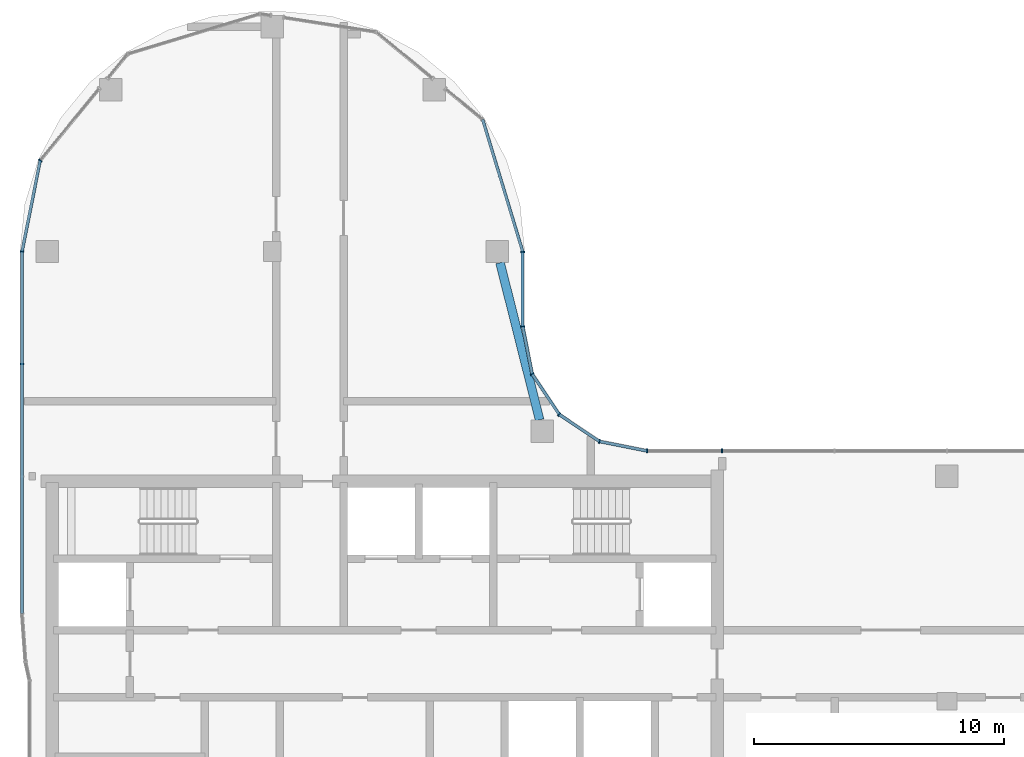
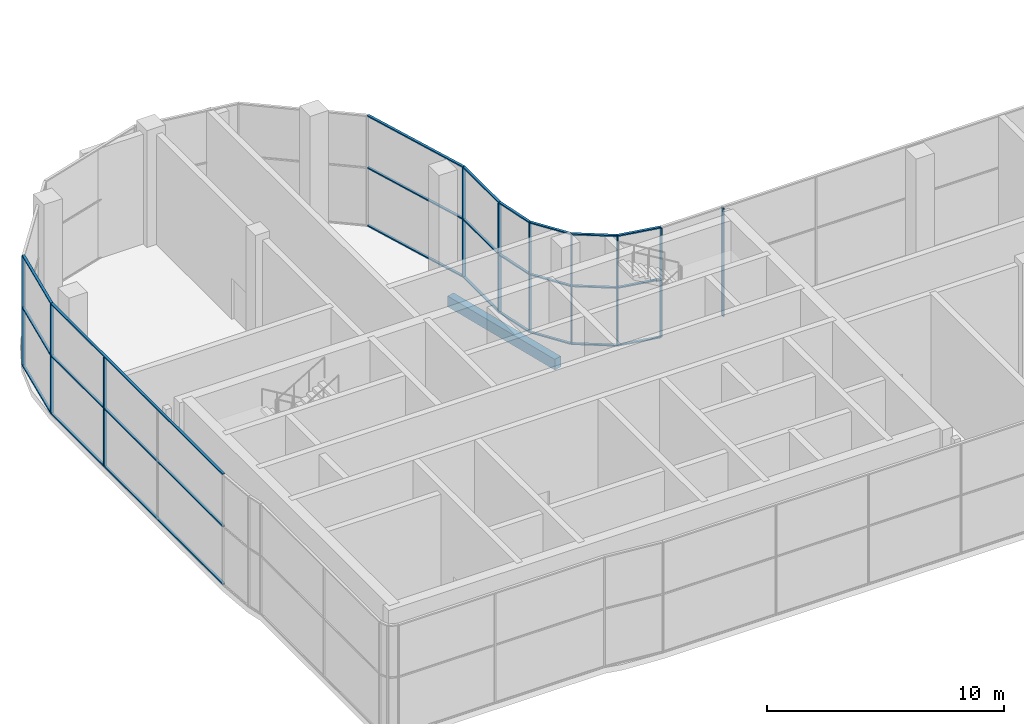
# One storey, part 3 of 21: 34 members, 1 beam, 6 elements without a shape of their own.
"""IFC4 building model written with IfcOpenShell, lengths in metres."""

from ifc_helpers import new_model, si_unit, direction, frame, origin, origin_2d, place, context, subcontext, project, spatial, rectangle, extrude, material, material_profile, profile_set, type_object, element, aggregate, save


model = new_model("IFC4")

# Units and contexts
model_context = context("Model", 3, precision=1e-05, world=origin(), true_north=direction((0.0, 1.0)))
body_context = subcontext(model_context, "Body", "Model", "MODEL_VIEW")
ifc_project = project(units=[si_unit("LENGTHUNIT", "METRE"), si_unit("AREAUNIT", "SQUARE_METRE"), si_unit("VOLUMEUNIT", "CUBIC_METRE"), si_unit("PLANEANGLEUNIT", "RADIAN"), si_unit("MASSUNIT", "GRAM", prefix="KILO")], contexts=[model_context])

# Site, building, storey
site_placement = place(None, origin())
site = spatial("IfcSite", under=ifc_project, at=site_placement, CompositionType="ELEMENT")
building_placement = place(site_placement, origin())
building = spatial("IfcBuilding", under=site, at=building_placement, Name="Ogive Portal Towers", CompositionType="ELEMENT")
storey_placement = place(building_placement, frame((0.0, 0.0, 266.89990234375)))
storey = spatial("IfcBuildingStorey", under=building, at=storey_placement, Name="L65", CompositionType="ELEMENT", Elevation=266.89990234375)

# Curtain wall, members
ifc_material_1 = material(Name="Glass, clear low-iron insulated glazing", Category="glass")
curtain_wall_type = type_object("IfcCurtainWallType", Name="CW OBSERVATION WALL", PredefinedType="NOTDEFINED", material=ifc_material_1)
curtain_wall_1_placement = place(storey_placement, origin())
curtain_wall_1 = element("IfcCurtainWall", 1, at=curtain_wall_1_placement, inside=storey, type_object=curtain_wall_type, Name="A:L65:f11:cw0", PredefinedType="NOTDEFINED")
ifc_material_2 = material(Name="Aluminium 6063 anodised", Category="aluminium")
ifc_material_profile_1 = material_profile(ifc_material_2, rectangle(XDim=0.159912109375, YDim=0.06005859375, at=origin_2d()), Name="AL 60x160")
ifc_profile_set_1 = profile_set([ifc_material_profile_1], Name="Aluminium 6063 anodised")
member_type_1 = type_object("IfcMemberType", Name="CW MULLION 60x160", PredefinedType="MULLION", material=ifc_profile_set_1)
member_1_placement = place(storey_placement, frame((58.5, 40.52001953125, 0.06005859375), z_axis=(0.0, 0.0, 1.0), x_axis=(0.0, -1.0, 0.0)))
member_1 = element("IfcMember", 2, at=member_1_placement, type_object=member_type_1, Name="mullion", PredefinedType="MULLION", context=body_context, shape_type="SweptSolid", body=[
    extrude(rectangle(XDim=0.159912109375, YDim=0.06005859375, at=origin_2d()), origin(), (0.0, 0.0, 1.0), 5.580078125),
])
member_2_placement = place(storey_placement, frame((55.4921875, 40.52001953125, 0.06005859375), z_axis=(0.0, 0.0, 1.0), x_axis=(0.0, -1.0, 0.0)))
member_2 = element("IfcMember", 3, at=member_2_placement, type_object=member_type_1, Name="mullion", PredefinedType="MULLION", context=body_context, shape_type="SweptSolid", body=[
    extrude(rectangle(XDim=0.159912109375, YDim=0.06005859375, at=origin_2d()), origin(), (0.0, 0.0, 1.0), 5.580078125),
])
aggregate(curtain_wall_1, [member_1, member_2])

curtain_wall_2_placement = place(storey_placement, origin())
curtain_wall_2 = element("IfcCurtainWall", 4, at=curtain_wall_2_placement, inside=storey, type_object=curtain_wall_type, Name="A:L65:f16:cw0", PredefinedType="NOTDEFINED")
member_3_placement = place(storey_placement, frame((50.52001953125, 45.4921875, 0.06005859375), z_axis=(0.0, 0.0, 1.0), x_axis=(-1.0, 0.0, 0.0)))
member_3 = element("IfcMember", 5, at=member_3_placement, type_object=member_type_1, Name="mullion", PredefinedType="MULLION", context=body_context, shape_type="SweptSolid", body=[
    extrude(rectangle(XDim=0.159912109375, YDim=0.06005859375, at=origin_2d()), origin(), (0.0, 0.0, 1.0), 5.580078125),
])
member_4_placement = place(storey_placement, frame((50.52001953125, 48.488037109375, 0.06005859375), z_axis=(0.0, 0.0, 1.0), x_axis=(-1.0, 0.0, 0.0)))
member_4 = element("IfcMember", 6, at=member_4_placement, type_object=member_type_1, Name="mullion", PredefinedType="MULLION", context=body_context, shape_type="SweptSolid", body=[
    extrude(rectangle(XDim=0.159912109375, YDim=0.06005859375, at=origin_2d()), origin(), (0.0, 0.0, 1.0), 5.580078125),
])

curtain_wall_3_placement = place(storey_placement, origin())
curtain_wall_3 = element("IfcCurtainWall", 7, at=curtain_wall_3_placement, inside=storey, type_object=curtain_wall_type, Name="A:L65:f23:cw0", PredefinedType="NOTDEFINED")
member_5_placement = place(storey_placement, frame((30.47998046875, 48.4921875, 0.06005859375), z_axis=(0.0, 0.0, 1.0), x_axis=(1.0, 0.0, 0.0)))
member_5 = element("IfcMember", 8, at=member_5_placement, type_object=member_type_1, Name="mullion", PredefinedType="MULLION", context=body_context, shape_type="SweptSolid", body=[
    extrude(rectangle(XDim=0.159912109375, YDim=0.06005859375, at=origin_2d()), origin(), (0.0, 0.0, 1.0), 5.580078125),
])
member_6_placement = place(storey_placement, frame((30.47998046875, 44.0, 0.06005859375), z_axis=(0.0, 0.0, 1.0), x_axis=(1.0, 0.0, 0.0)))
member_6 = element("IfcMember", 9, at=member_6_placement, type_object=member_type_1, Name="mullion", PredefinedType="MULLION", context=body_context, shape_type="SweptSolid", body=[
    extrude(rectangle(XDim=0.159912109375, YDim=0.06005859375, at=origin_2d()), origin(), (0.0, 0.0, 1.0), 5.580078125),
])

curtain_wall_4_placement = place(storey_placement, origin())
curtain_wall_4 = element("IfcCurtainWall", 10, at=curtain_wall_4_placement, inside=storey, type_object=curtain_wall_type, Name="A:L65:f12:cwa", PredefinedType="NOTDEFINED")
member_7_placement = place(storey_placement, frame((53.59375, 40.897705078125, 0.06005859375), z_axis=(0.0, 0.0, 1.0), x_axis=(-0.195090322016, -0.980785280403, 0.0)))
member_7 = element("IfcMember", 11, at=member_7_placement, type_object=member_type_1, Name="mullion", PredefinedType="MULLION", context=body_context, shape_type="SweptSolid", body=[
    extrude(rectangle(XDim=0.159912109375, YDim=0.06005859375, at=origin_2d()), origin(), (0.0, 0.0, 1.0), 5.580078125),
])
member_8_placement = place(storey_placement, frame((51.9775390625, 41.9775390625, 0.06005859375), z_axis=(0.0, 0.0, 1.0), x_axis=(-0.55557023302, -0.831469612303, 0.0)))
member_8 = element("IfcMember", 12, at=member_8_placement, type_object=member_type_1, Name="mullion", PredefinedType="MULLION", context=body_context, shape_type="SweptSolid", body=[
    extrude(rectangle(XDim=0.159912109375, YDim=0.06005859375, at=origin_2d()), origin(), (0.0, 0.0, 1.0), 5.580078125),
])
member_9_placement = place(storey_placement, frame((50.897705078125, 43.59375, 0.06005859375), z_axis=(0.0, 0.0, 1.0), x_axis=(-0.831469612303, -0.55557023302, 0.0)))
member_9 = element("IfcMember", 13, at=member_9_placement, type_object=member_type_1, Name="mullion", PredefinedType="MULLION", context=body_context, shape_type="SweptSolid", body=[
    extrude(rectangle(XDim=0.159912109375, YDim=0.06005859375, at=origin_2d()), origin(), (0.0, 0.0, 1.0), 5.580078125),
])

# Curtain wall, member
curtain_wall_5_placement = place(storey_placement, origin())
curtain_wall_5 = element("IfcCurtainWall", 14, at=curtain_wall_5_placement, inside=storey, type_object=curtain_wall_type, Name="A:L65:f17:cwa~3", PredefinedType="NOTDEFINED")
member_10_placement = place(storey_placement, frame((31.205322265625, 52.138427734375, 0.06005859375), z_axis=(0.0, 0.0, 1.0), x_axis=(0.773010453363, -0.634393284164, 0.0)))
member_10 = element("IfcMember", 15, at=member_10_placement, type_object=member_type_1, Name="mullion", PredefinedType="MULLION", context=body_context, shape_type="SweptSolid", body=[
    extrude(rectangle(XDim=0.159912109375, YDim=0.06005859375, at=origin_2d()), origin(), (0.0, 0.0, 1.0), 5.580078125),
])

# Member
ifc_material_profile_2 = material_profile(ifc_material_2, rectangle(XDim=0.1201171875, YDim=0.06005859375, at=origin_2d()), Name="AL 120x60")
ifc_profile_set_2 = profile_set([ifc_material_profile_2], Name="Aluminium 6063 anodised")
member_type_2 = type_object("IfcMemberType", Name="CW TRANSOM 60x120", PredefinedType="USERDEFINED", material=ifc_profile_set_2)
member_11_placement = place(storey_placement, frame((50.52001953125, 45.4921875, 0.030029296875), z_axis=(0.0, 1.0, 0.0), x_axis=(-1.0, 0.0, 0.0)))
member_11 = element("IfcMember", 16, at=member_11_placement, type_object=member_type_2, Name="transom", ObjectType="TRANSOM", PredefinedType="USERDEFINED", context=body_context, shape_type="SweptSolid", body=[
    extrude(rectangle(XDim=0.1201171875, YDim=0.06005859375, at=origin_2d()), origin(), (0.0, 0.0, 1.0), 2.995849609375),
])

member_12_placement = place(storey_placement, frame((50.52001953125, 45.4921875, 3.0), z_axis=(0.0, 1.0, 0.0), x_axis=(-1.0, 0.0, 0.0)))
member_12 = element("IfcMember", 17, at=member_12_placement, type_object=member_type_2, Name="transom", ObjectType="TRANSOM", PredefinedType="USERDEFINED", context=body_context, shape_type="SweptSolid", body=[
    extrude(rectangle(XDim=0.1201171875, YDim=0.06005859375, at=origin_2d()), origin(), (0.0, 0.0, 1.0), 2.995849609375),
])

member_13_placement = place(storey_placement, frame((50.52001953125, 45.4921875, 5.670166015625), z_axis=(0.0, 1.0, 0.0), x_axis=(-1.0, 0.0, 0.0)))
member_13 = element("IfcMember", 18, at=member_13_placement, type_object=member_type_2, Name="transom", ObjectType="TRANSOM", PredefinedType="USERDEFINED", context=body_context, shape_type="SweptSolid", body=[
    extrude(rectangle(XDim=0.1201171875, YDim=0.06005859375, at=origin_2d()), origin(), (0.0, 0.0, 1.0), 2.995849609375),
])

aggregate(curtain_wall_2, [member_11, member_12, member_13, member_3, member_4])

member_14_placement = place(storey_placement, frame((30.47998046875, 48.4921875, 0.030029296875), z_axis=(0.0, -1.0, 0.0), x_axis=(1.0, 0.0, 0.0)))
member_14 = element("IfcMember", 19, at=member_14_placement, type_object=member_type_2, Name="transom", ObjectType="TRANSOM", PredefinedType="USERDEFINED", context=body_context, shape_type="SweptSolid", body=[
    extrude(rectangle(XDim=0.1201171875, YDim=0.06005859375, at=origin_2d()), origin(), (0.0, 0.0, 1.0), 14.4892578125),
])

member_15_placement = place(storey_placement, frame((30.47998046875, 48.4921875, 3.0), z_axis=(0.0, -1.0, 0.0), x_axis=(1.0, 0.0, 0.0)))
member_15 = element("IfcMember", 20, at=member_15_placement, type_object=member_type_2, Name="transom", ObjectType="TRANSOM", PredefinedType="USERDEFINED", context=body_context, shape_type="SweptSolid", body=[
    extrude(rectangle(XDim=0.1201171875, YDim=0.06005859375, at=origin_2d()), origin(), (0.0, 0.0, 1.0), 14.4892578125),
])

member_16_placement = place(storey_placement, frame((30.47998046875, 48.4921875, 5.670166015625), z_axis=(0.0, -1.0, 0.0), x_axis=(1.0, 0.0, 0.0)))
member_16 = element("IfcMember", 21, at=member_16_placement, type_object=member_type_2, Name="transom", ObjectType="TRANSOM", PredefinedType="USERDEFINED", context=body_context, shape_type="SweptSolid", body=[
    extrude(rectangle(XDim=0.1201171875, YDim=0.06005859375, at=origin_2d()), origin(), (0.0, 0.0, 1.0), 14.4892578125),
])

aggregate(curtain_wall_3, [member_14, member_15, member_16, member_5, member_6])

member_17_placement = place(storey_placement, frame((55.4921875, 40.52001953125, 0.030029296875), z_axis=(-0.980779067127, 0.195121555664, 0.0), x_axis=(-0.195121555664, -0.980779067127, 0.0)))
member_17 = element("IfcMember", 22, at=member_17_placement, type_object=member_type_2, Name="transom", ObjectType="TRANSOM", PredefinedType="USERDEFINED", context=body_context, shape_type="SweptSolid", body=[
    extrude(rectangle(XDim=0.1201171875, YDim=0.06005859375, at=origin_2d()), origin(), (0.0, 0.0, 1.0), 1.935546875),
])

member_18_placement = place(storey_placement, frame((55.4921875, 40.52001953125, 3.0), z_axis=(-0.980779067127, 0.195121555664, 0.0), x_axis=(-0.195121555664, -0.980779067127, 0.0)))
member_18 = element("IfcMember", 23, at=member_18_placement, type_object=member_type_2, Name="transom", ObjectType="TRANSOM", PredefinedType="USERDEFINED", context=body_context, shape_type="SweptSolid", body=[
    extrude(rectangle(XDim=0.1201171875, YDim=0.06005859375, at=origin_2d()), origin(), (0.0, 0.0, 1.0), 1.935546875),
])

member_19_placement = place(storey_placement, frame((55.4921875, 40.52001953125, 5.670166015625), z_axis=(-0.980779067127, 0.195121555664, 0.0), x_axis=(-0.195121555664, -0.980779067127, 0.0)))
member_19 = element("IfcMember", 24, at=member_19_placement, type_object=member_type_2, Name="transom", ObjectType="TRANSOM", PredefinedType="USERDEFINED", context=body_context, shape_type="SweptSolid", body=[
    extrude(rectangle(XDim=0.1201171875, YDim=0.06005859375, at=origin_2d()), origin(), (0.0, 0.0, 1.0), 1.935546875),
])

member_20_placement = place(storey_placement, frame((53.59375, 40.897705078125, 0.030029296875), z_axis=(-0.83148948873, 0.555540484691, 0.0), x_axis=(-0.555540484691, -0.83148948873, 0.0)))
member_20 = element("IfcMember", 25, at=member_20_placement, type_object=member_type_2, Name="transom", ObjectType="TRANSOM", PredefinedType="USERDEFINED", context=body_context, shape_type="SweptSolid", body=[
    extrude(rectangle(XDim=0.1201171875, YDim=0.06005859375, at=origin_2d()), origin(), (0.0, 0.0, 1.0), 1.94384765625),
])

member_21_placement = place(storey_placement, frame((53.59375, 40.897705078125, 3.0), z_axis=(-0.83148948873, 0.555540484691, 0.0), x_axis=(-0.555540484691, -0.83148948873, 0.0)))
member_21 = element("IfcMember", 26, at=member_21_placement, type_object=member_type_2, Name="transom", ObjectType="TRANSOM", PredefinedType="USERDEFINED", context=body_context, shape_type="SweptSolid", body=[
    extrude(rectangle(XDim=0.1201171875, YDim=0.06005859375, at=origin_2d()), origin(), (0.0, 0.0, 1.0), 1.94384765625),
])

member_22_placement = place(storey_placement, frame((53.59375, 40.897705078125, 5.670166015625), z_axis=(-0.83148948873, 0.555540484691, 0.0), x_axis=(-0.555540484691, -0.83148948873, 0.0)))
member_22 = element("IfcMember", 27, at=member_22_placement, type_object=member_type_2, Name="transom", ObjectType="TRANSOM", PredefinedType="USERDEFINED", context=body_context, shape_type="SweptSolid", body=[
    extrude(rectangle(XDim=0.1201171875, YDim=0.06005859375, at=origin_2d()), origin(), (0.0, 0.0, 1.0), 1.94384765625),
])

member_23_placement = place(storey_placement, frame((51.9775390625, 41.9775390625, 0.030029296875), z_axis=(-0.555540484691, 0.83148948873, 0.0), x_axis=(-0.83148948873, -0.555540484691, 0.0)))
member_23 = element("IfcMember", 28, at=member_23_placement, type_object=member_type_2, Name="transom", ObjectType="TRANSOM", PredefinedType="USERDEFINED", context=body_context, shape_type="SweptSolid", body=[
    extrude(rectangle(XDim=0.1201171875, YDim=0.06005859375, at=origin_2d()), origin(), (0.0, 0.0, 1.0), 1.94384765625),
])

member_24_placement = place(storey_placement, frame((51.9775390625, 41.9775390625, 3.0), z_axis=(-0.555540484691, 0.83148948873, 0.0), x_axis=(-0.83148948873, -0.555540484691, 0.0)))
member_24 = element("IfcMember", 29, at=member_24_placement, type_object=member_type_2, Name="transom", ObjectType="TRANSOM", PredefinedType="USERDEFINED", context=body_context, shape_type="SweptSolid", body=[
    extrude(rectangle(XDim=0.1201171875, YDim=0.06005859375, at=origin_2d()), origin(), (0.0, 0.0, 1.0), 1.94384765625),
])

member_25_placement = place(storey_placement, frame((51.9775390625, 41.9775390625, 5.670166015625), z_axis=(-0.555540484691, 0.83148948873, 0.0), x_axis=(-0.83148948873, -0.555540484691, 0.0)))
member_25 = element("IfcMember", 30, at=member_25_placement, type_object=member_type_2, Name="transom", ObjectType="TRANSOM", PredefinedType="USERDEFINED", context=body_context, shape_type="SweptSolid", body=[
    extrude(rectangle(XDim=0.1201171875, YDim=0.06005859375, at=origin_2d()), origin(), (0.0, 0.0, 1.0), 1.94384765625),
])

member_26_placement = place(storey_placement, frame((50.897705078125, 43.59375, 0.030029296875), z_axis=(-0.195121555664, 0.980779067127, 0.0), x_axis=(-0.980779067127, -0.195121555664, 0.0)))
member_26 = element("IfcMember", 31, at=member_26_placement, type_object=member_type_2, Name="transom", ObjectType="TRANSOM", PredefinedType="USERDEFINED", context=body_context, shape_type="SweptSolid", body=[
    extrude(rectangle(XDim=0.1201171875, YDim=0.06005859375, at=origin_2d()), origin(), (0.0, 0.0, 1.0), 1.935546875),
])

member_27_placement = place(storey_placement, frame((50.897705078125, 43.59375, 3.0), z_axis=(-0.195121555664, 0.980779067127, 0.0), x_axis=(-0.980779067127, -0.195121555664, 0.0)))
member_27 = element("IfcMember", 32, at=member_27_placement, type_object=member_type_2, Name="transom", ObjectType="TRANSOM", PredefinedType="USERDEFINED", context=body_context, shape_type="SweptSolid", body=[
    extrude(rectangle(XDim=0.1201171875, YDim=0.06005859375, at=origin_2d()), origin(), (0.0, 0.0, 1.0), 1.935546875),
])

member_28_placement = place(storey_placement, frame((50.897705078125, 43.59375, 5.670166015625), z_axis=(-0.195121555664, 0.980779067127, 0.0), x_axis=(-0.980779067127, -0.195121555664, 0.0)))
member_28 = element("IfcMember", 33, at=member_28_placement, type_object=member_type_2, Name="transom", ObjectType="TRANSOM", PredefinedType="USERDEFINED", context=body_context, shape_type="SweptSolid", body=[
    extrude(rectangle(XDim=0.1201171875, YDim=0.06005859375, at=origin_2d()), origin(), (0.0, 0.0, 1.0), 1.935546875),
])

aggregate(curtain_wall_4, [member_17, member_18, member_19, member_20, member_21, member_22, member_23, member_24, member_25, member_26, member_27, member_28, member_7, member_8, member_9])

# Curtain wall, members
curtain_wall_6_placement = place(storey_placement, origin())
curtain_wall_6 = element("IfcCurtainWall", 34, at=curtain_wall_6_placement, inside=storey, type_object=curtain_wall_type, Name="A:L65:f17:cwa~0", PredefinedType="NOTDEFINED")
member_29_placement = place(storey_placement, frame((50.52001953125, 48.488037109375, 0.030029296875), z_axis=(-0.290279034349, 0.956942047471, 0.0), x_axis=(-0.956942047471, -0.290279034349, 0.0)))
member_29 = element("IfcMember", 35, at=member_29_placement, type_object=member_type_2, Name="transom", ObjectType="TRANSOM", PredefinedType="USERDEFINED", context=body_context, shape_type="SweptSolid", body=[
    extrude(rectangle(XDim=0.1201171875, YDim=0.06005859375, at=origin_2d()), origin(), (0.0, 0.0, 1.0), 5.53759765625),
])
member_30_placement = place(storey_placement, frame((50.52001953125, 48.488037109375, 3.0), z_axis=(-0.290279034349, 0.956942047471, 0.0), x_axis=(-0.956942047471, -0.290279034349, 0.0)))
member_30 = element("IfcMember", 36, at=member_30_placement, type_object=member_type_2, Name="transom", ObjectType="TRANSOM", PredefinedType="USERDEFINED", context=body_context, shape_type="SweptSolid", body=[
    extrude(rectangle(XDim=0.1201171875, YDim=0.06005859375, at=origin_2d()), origin(), (0.0, 0.0, 1.0), 5.53759765625),
])
member_31_placement = place(storey_placement, frame((50.52001953125, 48.488037109375, 5.670166015625), z_axis=(-0.290279034349, 0.956942047471, 0.0), x_axis=(-0.956942047471, -0.290279034349, 0.0)))
member_31 = element("IfcMember", 37, at=member_31_placement, type_object=member_type_2, Name="transom", ObjectType="TRANSOM", PredefinedType="USERDEFINED", context=body_context, shape_type="SweptSolid", body=[
    extrude(rectangle(XDim=0.1201171875, YDim=0.06005859375, at=origin_2d()), origin(), (0.0, 0.0, 1.0), 5.53759765625),
])
aggregate(curtain_wall_6, [member_29, member_30, member_31])

# Member
member_32_placement = place(storey_placement, frame((31.205322265625, 52.138427734375, 0.030029296875), z_axis=(-0.195105722562, -0.980782216918, 0.0), x_axis=(0.980782216918, -0.195105722562, 0.0)))
member_32 = element("IfcMember", 38, at=member_32_placement, type_object=member_type_2, Name="transom", ObjectType="TRANSOM", PredefinedType="USERDEFINED", context=body_context, shape_type="SweptSolid", body=[
    extrude(rectangle(XDim=0.1201171875, YDim=0.06005859375, at=origin_2d()), origin(), (0.0, 0.0, 1.0), 3.7177734375),
])

member_33_placement = place(storey_placement, frame((31.205322265625, 52.138427734375, 3.0), z_axis=(-0.195105722562, -0.980782216918, 0.0), x_axis=(0.980782216918, -0.195105722562, 0.0)))
member_33 = element("IfcMember", 39, at=member_33_placement, type_object=member_type_2, Name="transom", ObjectType="TRANSOM", PredefinedType="USERDEFINED", context=body_context, shape_type="SweptSolid", body=[
    extrude(rectangle(XDim=0.1201171875, YDim=0.06005859375, at=origin_2d()), origin(), (0.0, 0.0, 1.0), 3.7177734375),
])

member_34_placement = place(storey_placement, frame((31.205322265625, 52.138427734375, 5.670166015625), z_axis=(-0.195105722562, -0.980782216918, 0.0), x_axis=(0.980782216918, -0.195105722562, 0.0)))
member_34 = element("IfcMember", 40, at=member_34_placement, type_object=member_type_2, Name="transom", ObjectType="TRANSOM", PredefinedType="USERDEFINED", context=body_context, shape_type="SweptSolid", body=[
    extrude(rectangle(XDim=0.1201171875, YDim=0.06005859375, at=origin_2d()), origin(), (0.0, 0.0, 1.0), 3.7177734375),
])

aggregate(curtain_wall_5, [member_32, member_33, member_34, member_10])

# Beam
ifc_material_3 = material(Name="Concrete C50/60", Category="concrete")
ifc_material_profile_3 = material_profile(ifc_material_3, rectangle(XDim=0.35009765625, YDim=0.550048828125, at=origin_2d()), Name="RC 350x550")
ifc_profile_set_3 = profile_set([ifc_material_profile_3], Name="Concrete C50/60")
beam_type = type_object("IfcBeamType", Name="SPANDREL BEAM RC 350x550", PredefinedType="BEAM", material=ifc_profile_set_3)
beam_placement = place(storey_placement, frame((49.61328125, 48.050048828125, -0.574951171875), z_axis=(0.244129438789, -0.969742655098, 0.0), x_axis=(0.969742655098, 0.244129438789, 0.0)))
element("IfcBeam", 41, at=beam_placement, inside=storey, type_object=beam_type, Name="Spandrel beam L65", PredefinedType="BEAM", context=body_context, shape_type="SweptSolid", body=[
    extrude(rectangle(XDim=0.35009765625, YDim=0.550048828125, at=origin_2d()), origin(), (0.0, 0.0, 1.0), 6.486328125),
])

save(model, "model.ifc")
